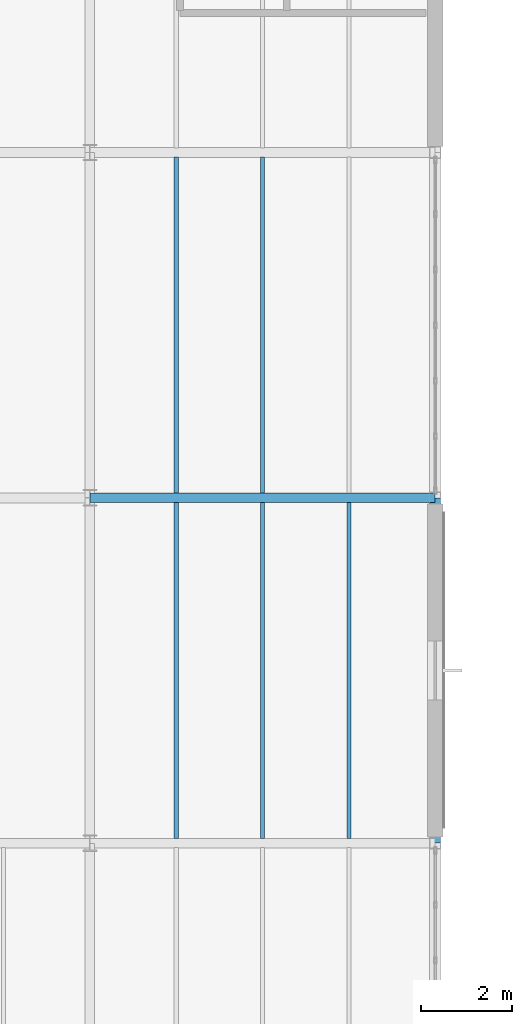
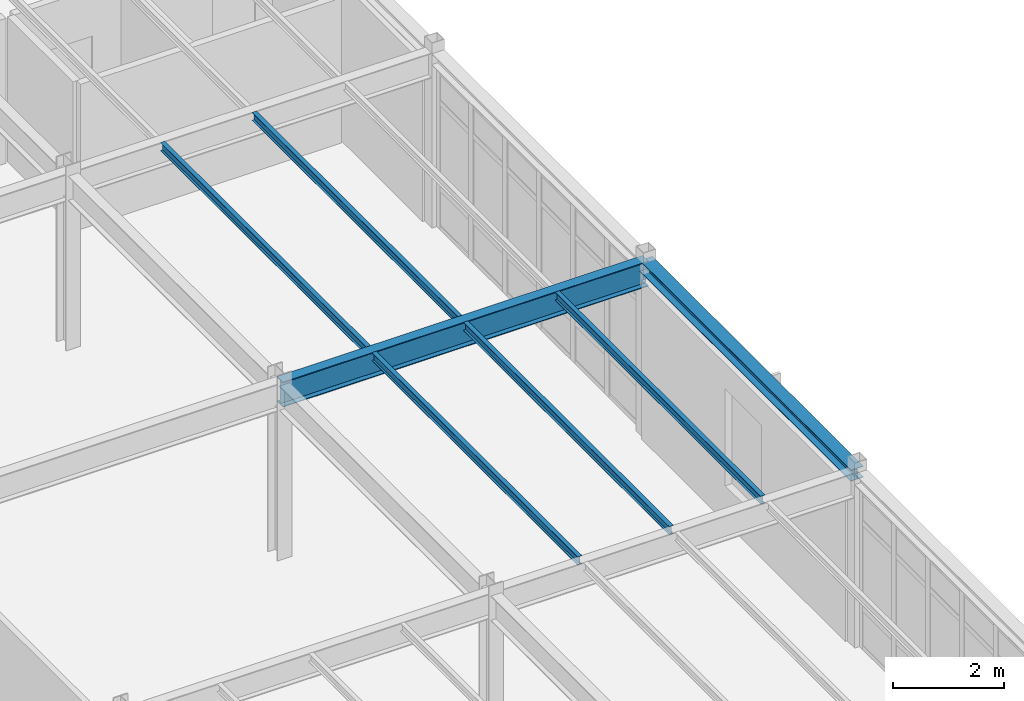
# One storey, part 68 of 189: 7 beams.
"""IFC4 building model written with IfcOpenShell, lengths in metres."""

from ifc_helpers import new_model, si_unit, direction, frame, origin, origin_2d, place, context, subcontext, project, spatial, i_section, extrude, material, material_profile, profile_set, type_object, element, save


model = new_model("IFC4")

# Units and contexts
model_context = context("Model", 3, precision=1e-05, world=origin(), true_north=direction((0.0, 1.0)))
body_context = subcontext(model_context, "Body", "Model", "MODEL_VIEW")
ifc_project = project(units=[si_unit("LENGTHUNIT", "METRE"), si_unit("AREAUNIT", "SQUARE_METRE"), si_unit("VOLUMEUNIT", "CUBIC_METRE"), si_unit("PLANEANGLEUNIT", "RADIAN"), si_unit("MASSUNIT", "GRAM", prefix="KILO")], contexts=[model_context])

# Site, building, storey
site_placement = place(None, origin())
site = spatial("IfcSite", under=ifc_project, at=site_placement, CompositionType="ELEMENT")
building_placement = place(site_placement, origin())
building = spatial("IfcBuilding", under=site, at=building_placement, Name="Montecoro Central Library", CompositionType="ELEMENT")
storey_placement = place(building_placement, frame((0.0, 0.0, 9.179931640625)))
storey = spatial("IfcBuildingStorey", under=building, at=storey_placement, Name="L02", CompositionType="ELEMENT", Elevation=9.179931640625)

# Beams
ifc_material_1 = material(Name="Steel S355J2", Category="steel")
ifc_material_profile_1 = material_profile(ifc_material_1, i_section(OverallWidth=0.2099609375, OverallDepth=0.550048828125, WebThickness=0.010986328125, FlangeThickness=0.01708984375, at=origin_2d()), Name="IPE 550")
ifc_profile_set_1 = profile_set([ifc_material_profile_1], Name="Steel S355J2")
beam_type_1 = type_object("IfcBeamType", Name="BM-G-IPE550", PredefinedType="USERDEFINED", material=ifc_profile_set_1)
beam_1_placement = place(storey_placement, frame((35.405029296875, 88.60009765625, 3.550048828125), z_axis=(1.0, 0.0, 0.0), x_axis=(0.0, 1.0, 0.0)))
element("IfcBeam", 1, at=beam_1_placement, inside=storey, type_object=beam_type_1, Name="V4-L02-BX-56-M", ObjectType="GIRDER", PredefinedType="USERDEFINED", context=body_context, shape_type="SweptSolid", body=[
    extrude(i_section(OverallWidth=0.2099609375, OverallDepth=0.550048828125, WebThickness=0.010986328125, FlangeThickness=0.01708984375, at=origin_2d()), origin(), (0.0, 0.0, 1.0), 7.590087890625),
])
ifc_material_2 = material(Name="Steel S355", Category="steel")
ifc_material_profile_2 = material_profile(ifc_material_2, i_section(OverallWidth=0.091064453125, OverallDepth=0.179931640625, WebThickness=0.00537109375, FlangeThickness=0.008056640625, at=origin_2d()), Name="IPE 180")
ifc_profile_set_2 = profile_set([ifc_material_profile_2], Name="Steel S355")
beam_type_2 = type_object("IfcBeamType", Name="BM-J-IPE180", PredefinedType="JOIST", material=ifc_profile_set_2)
for number, where, z_axis, x_axis, name in (
    (2, (37.300048828125, 81.10205078125, 3.735107421875), (0.0, 1.0, 0.0), (-1.0, 0.0, 0.0), "V4-L02-JS-56-LM-1"),
    (3, (39.199951171875, 81.10205078125, 3.735107421875), (0.0, 1.0, 0.0), (-1.0, 0.0, 0.0), "V4-L02-JS-56-LM-2"),
    (4, (41.10009765625, 81.10205078125, 3.735107421875), (0.0, 1.0, 0.0), (-1.0, 0.0, 0.0), "V4-L02-JS-56-LM-3"),
    (5, (37.300048828125, 88.701904296875, 3.735107421875), (0.0, 1.0, 0.0), (-1.0, 0.0, 0.0), "V4-L02-JS-56-MN-1"),
    (6, (39.199951171875, 88.701904296875, 3.735107421875), (0.0, 1.0, 0.0), (-1.0, 0.0, 0.0), "V4-L02-JS-56-MN-2"),
):
    element("IfcBeam", number, at=place(storey_placement, frame(where, z_axis=z_axis, x_axis=x_axis)), inside=storey, type_object=beam_type_2, Name=name, PredefinedType="JOIST", context=body_context, shape_type="SweptSolid", body=[
        extrude(i_section(OverallWidth=0.091064453125, OverallDepth=0.179931640625, WebThickness=0.00537109375, FlangeThickness=0.008056640625, at=origin_2d()), origin(), (0.0, 0.0, 1.0), 7.39599609375),
    ])
ifc_material_profile_3 = material_profile(ifc_material_2, i_section(OverallWidth=0.260009765625, OverallDepth=0.25, WebThickness=0.007568359375, FlangeThickness=0.012451171875, at=origin_2d()), Name="HEA 260")
ifc_profile_set_3 = profile_set([ifc_material_profile_3], Name="Steel S355")
beam_type_3 = type_object("IfcBeamType", Name="BM-SP-HEA260", PredefinedType="SPANDREL", material=ifc_profile_set_3)
beam_2_placement = place(storey_placement, frame((43.0, 81.0048828125, 3.699951171875), z_axis=(0.0, 1.0, 0.0), x_axis=(-1.0, 0.0, 0.0)))
element("IfcBeam", 7, at=beam_2_placement, inside=storey, type_object=beam_type_3, Name="V4-L02-BY-6-LM", PredefinedType="SPANDREL", context=body_context, shape_type="SweptSolid", body=[
    extrude(i_section(OverallWidth=0.260009765625, OverallDepth=0.25, WebThickness=0.007568359375, FlangeThickness=0.012451171875, at=origin_2d()), origin(), (0.0, 0.0, 1.0), 7.590087890625),
])

save(model, "model.ifc")
